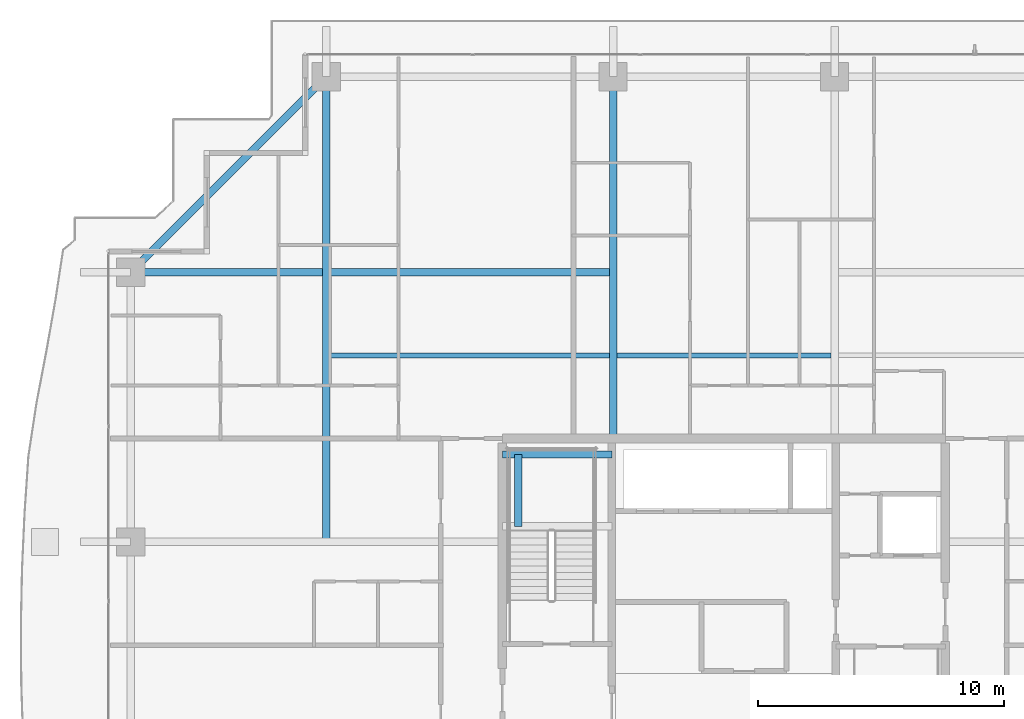
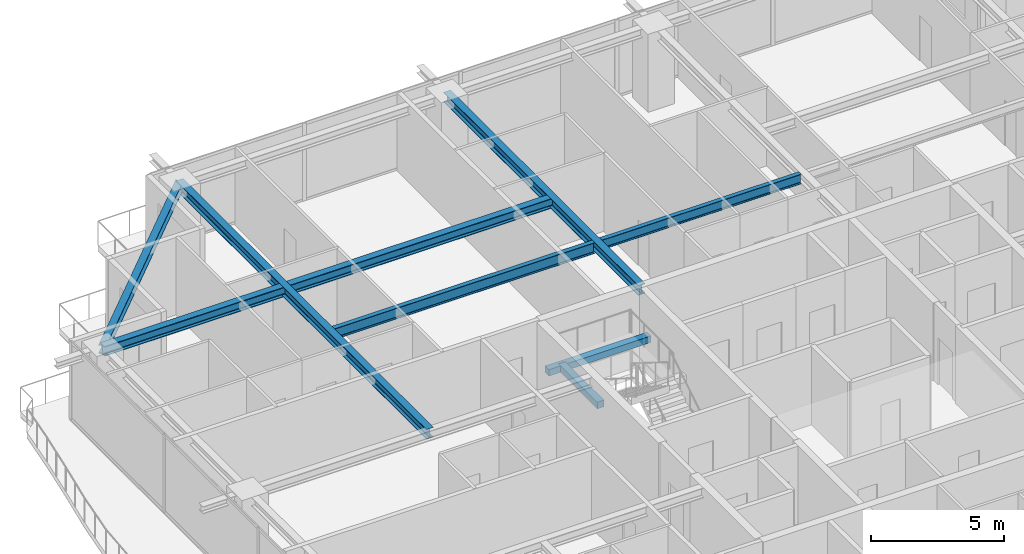
# One storey, part 17 of 38: 8 beams.
"""IFC4 building model written with IfcOpenShell, lengths in metres."""

from ifc_helpers import new_model, si_unit, direction, frame, origin, origin_2d, place, context, subcontext, project, spatial, rectangle, i_section, extrude, source, transform, mapped, material, material_profile, profile_set, type_object, element, save


model = new_model("IFC4")

# Units and contexts
model_context = context("Model", 3, precision=1e-05, world=origin(), true_north=direction((0.0, 1.0)))
body_context = subcontext(model_context, "Body", "Model", "MODEL_VIEW")
ifc_project = project(units=[si_unit("LENGTHUNIT", "METRE"), si_unit("AREAUNIT", "SQUARE_METRE"), si_unit("VOLUMEUNIT", "CUBIC_METRE"), si_unit("PLANEANGLEUNIT", "RADIAN"), si_unit("MASSUNIT", "GRAM", prefix="KILO")], contexts=[model_context])

# Site, building, storey
site_placement = place(None, origin())
site = spatial("IfcSite", under=ifc_project, at=site_placement, CompositionType="ELEMENT")
building_placement = place(site_placement, origin())
building = spatial("IfcBuilding", under=site, at=building_placement, Name="Serunith Strait Residences", CompositionType="ELEMENT")
storey_placement = place(building_placement, frame((0.0, 0.0, 241.25)))
storey = spatial("IfcBuildingStorey", under=building, at=storey_placement, Name="L60", CompositionType="ELEMENT", Elevation=241.25)

# Beams
ifc_material_1 = material(Name="Steel S355J2", Category="steel")
ifc_material_profile_1 = material_profile(ifc_material_1, i_section(OverallWidth=0.18994140625, OverallDepth=0.449951171875, WebThickness=0.009521484375, FlangeThickness=0.0146484375, FilletRadius=0.02099609375, at=origin_2d()), Name="IPE 450")
ifc_profile_set_1 = profile_set([ifc_material_profile_1], Name="Steel S355J2")
beam_type_1 = type_object("IfcBeamType", Name="BM-IPE450", PredefinedType="JOIST", material=ifc_profile_set_1)
shared_shape_1 = source(origin(), body_context, "Body", "SweptSolid", [
    extrude(i_section(OverallWidth=0.18994140625, OverallDepth=0.449951171875, WebThickness=0.009521484375, FlangeThickness=0.0146484375, FilletRadius=0.02099609375, at=origin_2d()), origin(), (0.0, 0.0, 1.0), 8.699951171875),
])
beam_1_placement = place(storey_placement, frame((28.050048828125, 36.97509765625, 3.362060546875), z_axis=(1.0, 0.0, 0.0), x_axis=(0.0, 1.0, 0.0)))
element("IfcBeam", 1, at=beam_1_placement, inside=storey, type_object=beam_type_1, Name="L60 Composite Floor Joist 05", PredefinedType="JOIST", context=body_context, shape_type="MappedRepresentation", body=[
    mapped(shared_shape_1, transform((0.0, 0.0, 0.0), scale=1.0)),
])
ifc_material_profile_2 = material_profile(ifc_material_1, i_section(OverallWidth=0.300048828125, OverallDepth=0.449951171875, WebThickness=0.013916015625, FlangeThickness=0.02587890625, FilletRadius=0.027099609375, at=origin_2d()), Name="HEB 450")
ifc_profile_set_2 = profile_set([ifc_material_profile_2], Name="Steel S355J2")
beam_type_2 = type_object("IfcBeamType", Name="BM-HEB450", PredefinedType="BEAM", material=ifc_profile_set_2)
shared_shape_2 = source(origin(), body_context, "Body", "SweptSolid", [
    extrude(i_section(OverallWidth=0.300048828125, OverallDepth=0.449951171875, WebThickness=0.013916015625, FlangeThickness=0.02587890625, FilletRadius=0.027099609375, at=origin_2d()), origin(), (0.0, 0.0, 1.0), 14.699951171875),
])
beam_2_placement = place(storey_placement, frame((27.89990234375, 33.60009765625, 3.362060546875), z_axis=(0.0, 1.0, 0.0), x_axis=(-1.0, 0.0, 0.0)))
element("IfcBeam", 2, at=beam_2_placement, inside=storey, type_object=beam_type_2, Name="L60 Primary Floor Girder TC-N2", PredefinedType="BEAM", context=body_context, shape_type="MappedRepresentation", body=[
    mapped(shared_shape_2, transform((0.0, 0.0, 0.0), scale=1.0)),
])
shared_shape_3 = source(origin(), body_context, "Body", "SweptSolid", [
    extrude(i_section(OverallWidth=0.300048828125, OverallDepth=0.449951171875, WebThickness=0.013916015625, FlangeThickness=0.02587890625, FilletRadius=0.027099609375, at=origin_2d()), origin(), (0.0, 0.0, 1.0), 18.900146484375),
])
beam_3_placement = place(storey_placement, frame((16.25, 29.39990234375, 3.362060546875), z_axis=(0.0, 1.0, 0.0), x_axis=(-1.0, 0.0, 0.0)))
element("IfcBeam", 3, at=beam_3_placement, inside=storey, type_object=beam_type_2, Name="L60 Orthogonal Corner Girder TC-N1", PredefinedType="BEAM", context=body_context, shape_type="MappedRepresentation", body=[
    mapped(shared_shape_3, transform((0.0, 0.0, 0.0), scale=1.0)),
])
shared_shape_4 = source(origin(), body_context, "Body", "SweptSolid", [
    extrude(i_section(OverallWidth=0.300048828125, OverallDepth=0.449951171875, WebThickness=0.013916015625, FlangeThickness=0.02587890625, FilletRadius=0.027099609375, at=origin_2d()), origin(), (0.0, 0.0, 1.0), 19.599853515625),
])
beam_4_placement = place(storey_placement, frame((27.89990234375, 40.35009765625, 3.362060546875), z_axis=(-1.0, 0.0, 0.0), x_axis=(0.0, -1.0, 0.0)))
element("IfcBeam", 4, at=beam_4_placement, inside=storey, type_object=beam_type_2, Name="L60 Orthogonal Corner Girder TC-W4", PredefinedType="BEAM", context=body_context, shape_type="MappedRepresentation", body=[
    mapped(shared_shape_4, transform((0.0, 0.0, 0.0), scale=1.0)),
])
ifc_material_profile_3 = material_profile(ifc_material_1, i_section(OverallWidth=0.300048828125, OverallDepth=0.39990234375, WebThickness=0.013427734375, FlangeThickness=0.02392578125, FilletRadius=0.027099609375, at=origin_2d()), Name="HEB 400")
ifc_profile_set_3 = profile_set([ifc_material_profile_3], Name="Steel S355J2")
beam_type_3 = type_object("IfcBeamType", Name="BM-HEB400", PredefinedType="BEAM", material=ifc_profile_set_3)
shared_shape_5 = source(origin(), body_context, "Body", "SweptSolid", [
    extrude(i_section(OverallWidth=0.300048828125, OverallDepth=0.39990234375, WebThickness=0.013427734375, FlangeThickness=0.02392578125, FilletRadius=0.027099609375, at=origin_2d()), origin(), (0.0, 0.0, 1.0), 11.242919921875),
])
beam_5_placement = place(storey_placement, frame((16.25, 48.300048828125, 3.35693359375), z_axis=(-0.707106781187, -0.707106781187, 0.0), x_axis=(0.707106781187, -0.707106781187, 0.0)))
element("IfcBeam", 5, at=beam_5_placement, inside=storey, type_object=beam_type_3, Name="L60 Perimeter Ring Beam 12", PredefinedType="BEAM", context=body_context, shape_type="MappedRepresentation", body=[
    mapped(shared_shape_5, transform((0.0, 0.0, 0.0), scale=1.0)),
])
ifc_material_profile_4 = material_profile(ifc_material_1, i_section(OverallWidth=0.199951171875, OverallDepth=0.5, WebThickness=0.01025390625, FlangeThickness=0.01611328125, FilletRadius=0.02099609375, at=origin_2d()), Name="IPE 500")
ifc_profile_set_4 = profile_set([ifc_material_profile_4], Name="Steel S355J2")
beam_type_4 = type_object("IfcBeamType", Name="BM-IPE500", PredefinedType="JOIST", material=ifc_profile_set_4)
shared_shape_6 = source(origin(), body_context, "Body", "SweptSolid", [
    extrude(i_section(OverallWidth=0.199951171875, OverallDepth=0.5, WebThickness=0.01025390625, FlangeThickness=0.01611328125, FilletRadius=0.02099609375, at=origin_2d()), origin(), (0.0, 0.0, 1.0), 11.35009765625),
])
beam_6_placement = place(storey_placement, frame((16.39990234375, 36.97509765625, 3.3369140625), z_axis=(1.0, 0.0, 0.0), x_axis=(0.0, 1.0, 0.0)))
element("IfcBeam", 6, at=beam_6_placement, inside=storey, type_object=beam_type_4, Name="L60 Composite Floor Joist 04", PredefinedType="JOIST", context=body_context, shape_type="MappedRepresentation", body=[
    mapped(shared_shape_6, transform((0.0, 0.0, 0.0), scale=1.0)),
])
ifc_material_2 = material(Name="Concrete C60/75", Category="concrete")
ifc_material_profile_5 = material_profile(ifc_material_2, rectangle(XDim=0.300048828125, YDim=0.300048828125, at=origin_2d()), Name="RC 300x300")
ifc_profile_set_5 = profile_set([ifc_material_profile_5], Name="Concrete C60/75")
beam_type_5 = type_object("IfcBeamType", Name="BM-LAND-300x300", PredefinedType="BEAM", material=ifc_profile_set_5)
shared_shape_7 = source(origin(), body_context, "Body", "SweptSolid", [
    extrude(rectangle(XDim=0.300048828125, YDim=0.300048828125, at=origin_2d()), origin(), (0.0, 0.0, 1.0), 4.4501953125),
])
beam_7_placement = place(storey_placement, frame((23.39990234375, 32.949951171875, 1.574951171875), z_axis=(1.0, 0.0, 0.0), x_axis=(0.0, 1.0, 0.0)))
element("IfcBeam", 7, at=beam_7_placement, inside=storey, type_object=beam_type_5, Name="L60 ST-1 Landing Support Beam 2", PredefinedType="BEAM", context=body_context, shape_type="MappedRepresentation", body=[
    mapped(shared_shape_7, transform((0.0, 0.0, 0.0), scale=1.0)),
])
shared_shape_8 = source(origin(), body_context, "Body", "SweptSolid", [
    extrude(rectangle(XDim=0.300048828125, YDim=0.300048828125, at=origin_2d()), origin(), (0.0, 0.0, 1.0), 2.919921875),
])
beam_8_placement = place(storey_placement, frame((24.050048828125, 30.030029296875, 1.574951171875), z_axis=(0.0, 1.0, 0.0), x_axis=(-1.0, 0.0, 0.0)))
element("IfcBeam", 8, at=beam_8_placement, inside=storey, type_object=beam_type_5, Name="L60 ST-1 Landing Transverse Tie Beam", PredefinedType="BEAM", context=body_context, shape_type="MappedRepresentation", body=[
    mapped(shared_shape_8, transform((0.0, 0.0, 0.0), scale=1.0)),
])

save(model, "model.ifc")
